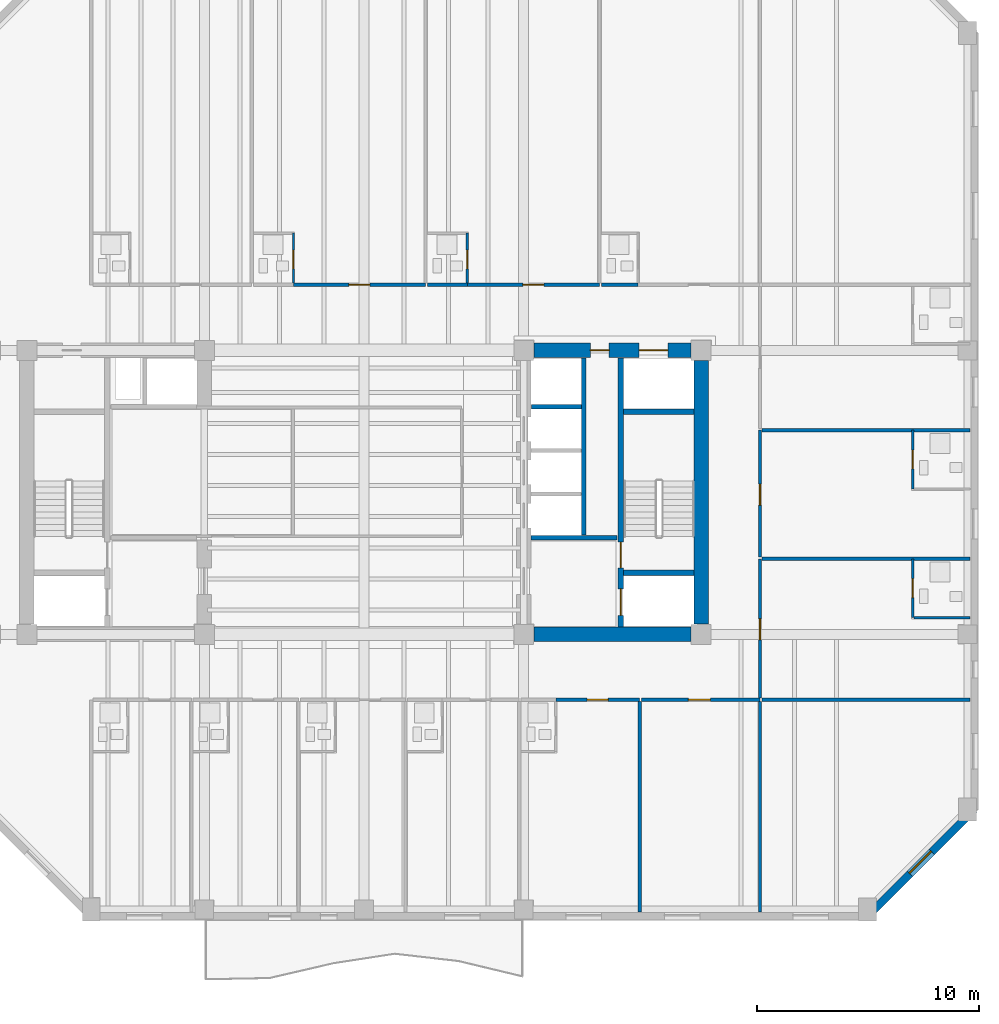
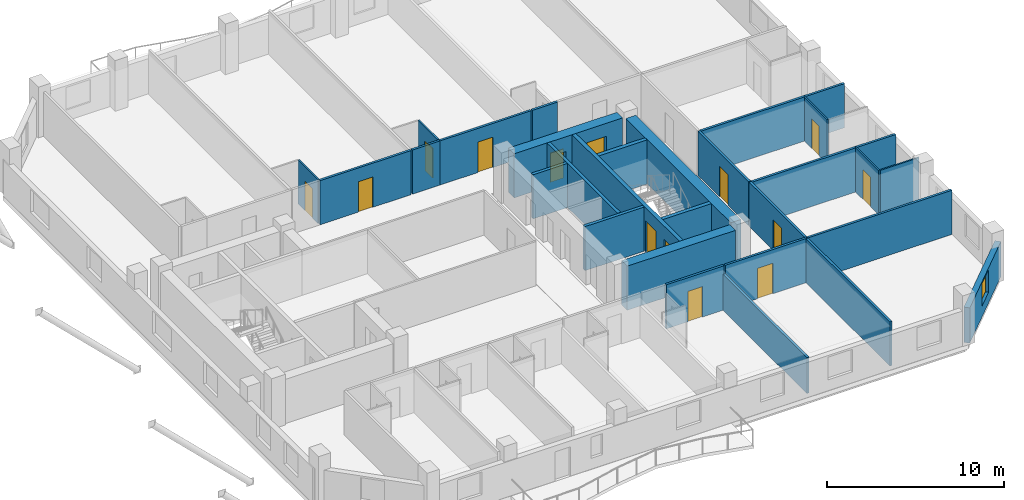
# One storey, part 7 of 13: 28 walls, 14 doors, 1 window, 15 openings.
"""IFC4 building model written with IfcOpenShell, lengths in metres."""

from ifc_helpers import new_model, si_unit, direction, frame, frame_2d, origin, place, context, subcontext, project, spatial, rectangle, extrude, material, layer, layer_set, type_object, element, fill, save


model = new_model("IFC4")

# Units and contexts
model_context = context("Model", 3, precision=1e-05, world=origin(), true_north=direction((0.0, 1.0)))
body_context = subcontext(model_context, "Body", "Model", "MODEL_VIEW")
ifc_project = project(units=[si_unit("LENGTHUNIT", "METRE"), si_unit("AREAUNIT", "SQUARE_METRE"), si_unit("VOLUMEUNIT", "CUBIC_METRE"), si_unit("PLANEANGLEUNIT", "RADIAN"), si_unit("MASSUNIT", "GRAM", prefix="KILO")], contexts=[model_context])

# Site, building, storey
site_placement = place(None, origin())
site = spatial("IfcSite", under=ifc_project, at=site_placement, CompositionType="ELEMENT")
building_placement = place(site_placement, origin())
building = spatial("IfcBuilding", under=site, at=building_placement, Name="Kranthara Brick Stack", CompositionType="ELEMENT")
storey_placement = place(building_placement, frame((0.0, 0.0, 179.800048828125)))
storey = spatial("IfcBuildingStorey", under=building, at=storey_placement, Name="L46", CompositionType="ELEMENT", Elevation=179.800048828125)

# Wall, opening, window
ifc_material_1 = material(Name="Kiln-fired clay brick masonry M15", Category="masonry")
ifc_layer_1 = layer(ifc_material_1, 0.35009765625)
ifc_layer_set_1 = layer_set([ifc_layer_1], Name="Kiln-fired clay brick masonry M15")
wall_type_1 = type_object("IfcWallType", Name="WL-BRK-SPND-350", PredefinedType="STANDARD", material=ifc_layer_set_1)
wall_1_placement = place(storey_placement, frame((55.5048828125, 12.89990234375, 0.0), z_axis=(0.0, 0.0, 1.0), x_axis=(-0.707106781187, -0.707106781187, 0.0)))
wall_1 = element("IfcWall", 1, at=wall_1_placement, inside=storey, type_object=wall_type_1, Name="L46 Exterior Brick Facade Wall SE 1", PredefinedType="STANDARD", context=body_context, shape_type="SweptSolid", body=[
    extrude(rectangle(XDim=6.795166015625, YDim=0.35009765625, at=frame_2d((3.3974609375, 0.0))), origin(), (0.0, 0.0, 1.0), 2.43505859375),
])
opening_1_placement = place(wall_1_placement, frame((2.697998046875, 0.0, 0.75)))
opening_1 = element("IfcOpeningElement", 2, at=opening_1_placement, cuts=wall_1, Name="Opening WN10", PredefinedType="OPENING", context=body_context, shape_type="SweptSolid", body=[
    extrude(rectangle(XDim=1.39990234375, YDim=1.56494140625, at=frame_2d((0.699951171875, 0.782470703125))), frame((0.0, 0.18505859375, 0.0), z_axis=(0.0, -1.0, 0.0), x_axis=(1.0, 0.0, 0.0)), (0.0, 0.0, 1.0), 0.3701171875),
])
ifc_material_2 = material(Name="Double-glazed low-E solar control glass", Category="glass")
window_type = type_object("IfcWindowType", Name="WN-CHM-1400x1750", PartitioningType="SINGLE_PANEL", PredefinedType="WINDOW", material=ifc_material_2)
window_placement = place(opening_1_placement, origin())
window = element("IfcWindow", 3, at=window_placement, inside=storey, type_object=window_type, Name="L46 SE Chamfer Corner Window", OverallHeight=1.56494140625, OverallWidth=1.39990234375, PartitioningType="SINGLE_PANEL", PredefinedType="WINDOW", context=body_context, shape_type="SweptSolid", body=[
    extrude(rectangle(XDim=1.39990234375, YDim=1.56494140625, at=frame_2d((0.699951171875, 0.782470703125))), frame((0.0, -0.010009765625, 0.0), z_axis=(0.0, -1.0, 0.0), x_axis=(1.0, 0.0, 0.0)), (0.0, 0.0, 1.0), 0.06005859375),
])
fill(opening_1, window)

# Wall, openings, doors
ifc_material_3 = material(Name="Concrete C50/60", Category="concrete")
ifc_layer_2 = layer(ifc_material_3, 0.25)
ifc_layer_set_2 = layer_set([ifc_layer_2], Name="Concrete C50/60")
wall_type_2 = type_object("IfcWallType", Name="WL-CORE-250", PredefinedType="SHEAR", material=ifc_layer_set_2)
wall_2_placement = place(storey_placement, frame((39.56494140625, 21.135009765625, 0.0), z_axis=(0.0, 0.0, 1.0), x_axis=(0.0, 1.0, 0.0)))
wall_2 = element("IfcWall", 4, at=wall_2_placement, inside=storey, type_object=wall_type_2, Name="L46 East Core Stair Bearing Spine Wall", PredefinedType="SHEAR", context=body_context, shape_type="SweptSolid", body=[
    extrude(rectangle(XDim=12.1298828125, YDim=0.25, at=frame_2d((6.06494140625, 0.0))), origin(), (0.0, 0.0, 1.0), 3.050048828125),
])
opening_2_placement = place(wall_2_placement, frame((0.514892578125, 0.0, 0.0)))
opening_2 = element("IfcOpeningElement", 5, at=opening_2_placement, cuts=wall_2, Name="Opening LD01", PredefinedType="OPENING", context=body_context, shape_type="SweptSolid", body=[
    extrude(rectangle(XDim=1.199951171875, YDim=2.14990234375, at=frame_2d((0.60009765625, 1.074951171875))), frame((0.0, 0.135009765625, 0.0), z_axis=(0.0, -1.0, 0.0), x_axis=(1.0, 0.0, 0.0)), (0.0, 0.0, 1.0), 0.27001953125),
])
opening_3_placement = place(wall_2_placement, frame((2.6650390625, 0.0, 0.0)))
opening_3 = element("IfcOpeningElement", 6, at=opening_3_placement, cuts=wall_2, Name="Opening D05", PredefinedType="OPENING", context=body_context, shape_type="SweptSolid", body=[
    extrude(rectangle(XDim=1.14990234375, YDim=2.14990234375, at=frame_2d((0.574951171875, 1.074951171875))), frame((0.0, 0.135009765625, 0.0), z_axis=(0.0, -1.0, 0.0), x_axis=(1.0, 0.0, 0.0)), (0.0, 0.0, 1.0), 0.27001953125),
])
ifc_material_4 = material(Name="Stainless steel sliding landing door", Category="steel")
door_type_1 = type_object("IfcDoorType", Name="DR-LD-FF1200", OperationType="DOUBLE_DOOR_SLIDING", PredefinedType="DOOR", material=ifc_material_4)
door_1_placement = place(opening_2_placement, origin())
door_1 = element("IfcDoor", 7, at=door_1_placement, inside=storey, type_object=door_type_1, Name="L46 Firefighting Lift FF-02 Landing Door", OperationType="DOUBLE_DOOR_SLIDING", OverallHeight=2.14990234375, OverallWidth=1.199951171875, PredefinedType="DOOR", context=body_context, shape_type="SweptSolid", body=[
    extrude(rectangle(XDim=1.199951171875, YDim=2.14990234375, at=frame_2d((0.60009765625, 1.074951171875))), frame((0.0, 0.02490234375, 0.0), z_axis=(0.0, -1.0, 0.0), x_axis=(1.0, 0.0, 0.0)), (0.0, 0.0, 1.0), 0.050048828125),
])
fill(opening_2, door_1)
ifc_material_5 = material(Name="Solid-core hardwood timber leaf in steel frame", Category="steel")
door_type_2 = type_object("IfcDoorType", Name="DR-ST-1150", OperationType="NOTDEFINED", PredefinedType="DOOR", material=ifc_material_5)
door_2_placement = place(opening_3_placement, origin())
door_2 = element("IfcDoor", 8, at=door_2_placement, inside=storey, type_object=door_type_2, Name="L46 Exit Stair ST02 Door", OperationType="SINGLE_SWING_LEFT", OverallHeight=2.14990234375, OverallWidth=1.14990234375, PredefinedType="DOOR", context=body_context, shape_type="SweptSolid", body=[
    extrude(rectangle(XDim=1.14990234375, YDim=2.14990234375, at=frame_2d((0.574951171875, 1.074951171875))), frame((0.0, 0.02490234375, 0.0), z_axis=(0.0, -1.0, 0.0), x_axis=(1.0, 0.0, 0.0)), (0.0, 0.0, 1.0), 0.050048828125),
])
fill(opening_3, door_2)

# Walls
for number, where, z_axis, x_axis, name in (
    (9, (39.68994140625, 23.570068359375, 0.0), (0.0, 0.0, 1.0), (1.0, 0.0, 0.0), "L46 East Stairwell Bearing Wall EFF"),
    (10, (39.68994140625, 30.830078125, 0.0), (0.0, 0.0, 1.0), (1.0, 0.0, 0.0), "L46 East Stairwell Bearing Wall EST"),
):
    element("IfcWall", number, at=place(storey_placement, frame(where, z_axis=z_axis, x_axis=x_axis)), inside=storey, type_object=wall_type_2, Name=name, PredefinedType="SHEAR", context=body_context, shape_type="SweptSolid", body=[
        extrude(rectangle(XDim=3.175048828125, YDim=0.25, at=frame_2d((1.58740234375, 0.0))), origin(), (0.0, 0.0, 1.0), 3.050048828125),
    ])
ifc_material_6 = material(Name="Concrete C60/75", Category="concrete")
ifc_layer_3 = layer(ifc_material_6, 0.64990234375)
ifc_layer_set_3 = layer_set([ifc_layer_3], Name="Concrete C60/75")
wall_type_3 = type_object("IfcWallType", Name="WL-CORE-650", PredefinedType="SHEAR", material=ifc_layer_set_3)
wall_3_placement = place(storey_placement, frame((43.199951171875, 21.2548828125, 0.0), z_axis=(0.0, 0.0, 1.0), x_axis=(0.0, 1.0, 0.0)))
element("IfcWall", 11, at=wall_3_placement, inside=storey, type_object=wall_type_3, Name="L46 East Core Shear Wall East", PredefinedType="SHEAR", context=body_context, shape_type="SweptSolid", body=[
    extrude(rectangle(XDim=11.89013671875, YDim=0.64990234375, at=frame_2d((5.945068359375, 0.0))), origin(), (0.0, 0.0, 1.0), 3.050048828125),
])
wall_4_placement = place(storey_placement, frame((35.655029296875, 20.800048828125, 0.0), z_axis=(0.0, 0.0, 1.0), x_axis=(1.0, 0.0, 0.0)))
element("IfcWall", 12, at=wall_4_placement, inside=storey, type_object=wall_type_3, Name="L46 East Core Shear Wall South", PredefinedType="SHEAR", context=body_context, shape_type="SweptSolid", body=[
    extrude(rectangle(XDim=7.090087890625, YDim=0.64990234375, at=frame_2d((3.544921875, 0.0))), origin(), (0.0, 0.0, 1.0), 3.050048828125),
])

# Wall, openings, doors
wall_5_placement = place(storey_placement, frame((35.655029296875, 33.60009765625, 0.0), z_axis=(0.0, 0.0, 1.0), x_axis=(1.0, 0.0, 0.0)))
wall_5 = element("IfcWall", 13, at=wall_5_placement, inside=storey, type_object=wall_type_3, Name="L46 East Core Shear Wall North", PredefinedType="SHEAR", context=body_context, shape_type="SweptSolid", body=[
    extrude(rectangle(XDim=7.090087890625, YDim=0.64990234375, at=frame_2d((3.544921875, 0.0))), origin(), (0.0, 0.0, 1.0), 3.050048828125),
])
opening_4_placement = place(wall_5_placement, frame((4.7451171875, 0.0, 0.0)))
opening_4 = element("IfcOpeningElement", 14, at=opening_4_placement, cuts=wall_5, Name="Opening LD03", PredefinedType="OPENING", context=body_context, shape_type="SweptSolid", body=[
    extrude(rectangle(XDim=1.300048828125, YDim=2.14990234375, at=frame_2d((0.64990234375, 1.074951171875))), frame((0.0, 0.3349609375, 0.0), z_axis=(0.0, -1.0, 0.0), x_axis=(1.0, 0.0, 0.0)), (0.0, 0.0, 1.0), 0.669921875),
])
opening_5_placement = place(wall_5_placement, frame((2.544921875, 0.0, 0.0)))
opening_5 = element("IfcOpeningElement", 15, at=opening_5_placement, cuts=wall_5, Name="Opening D10", PredefinedType="OPENING", context=body_context, shape_type="SweptSolid", body=[
    extrude(rectangle(XDim=0.85009765625, YDim=2.02001953125, at=frame_2d((0.425048828125, 1.010009765625))), frame((0.0, 0.3349609375, 0.0), z_axis=(0.0, -1.0, 0.0), x_axis=(1.0, 0.0, 0.0)), (0.0, 0.0, 1.0), 0.669921875),
])
ifc_material_7 = material(Name="Stainless steel sliding landing door", Category="steel")
door_type_3 = type_object("IfcDoorType", Name="DR-LD-SV1300", OperationType="DOUBLE_DOOR_SLIDING", PredefinedType="DOOR", material=ifc_material_7)
door_3_placement = place(opening_4_placement, origin())
door_3 = element("IfcDoor", 16, at=door_3_placement, inside=storey, type_object=door_type_3, Name="L46 Stretcher Service Lift SV-01 Landing Door", OperationType="DOUBLE_DOOR_SLIDING", OverallHeight=2.14990234375, OverallWidth=1.300048828125, PredefinedType="DOOR", context=body_context, shape_type="SweptSolid", body=[
    extrude(rectangle(XDim=1.300048828125, YDim=2.14990234375, at=frame_2d((0.64990234375, 1.074951171875))), frame((0.0, 0.02490234375, 0.0), z_axis=(0.0, -1.0, 0.0), x_axis=(1.0, 0.0, 0.0)), (0.0, 0.0, 1.0), 0.050048828125),
])
fill(opening_4, door_3)
ifc_material_8 = material(Name="Solid-core hardwood timber leaf in steel frame", Category="steel")
door_type_4 = type_object("IfcDoorType", Name="DR-RSR-850", OperationType="NOTDEFINED", PredefinedType="DOOR", material=ifc_material_8)
door_4_placement = place(opening_5_placement, origin())
door_4 = element("IfcDoor", 17, at=door_4_placement, inside=storey, type_object=door_type_4, Name="L46 East Core Service Room Door", OperationType="SINGLE_SWING_LEFT", OverallHeight=2.02001953125, OverallWidth=0.85009765625, PredefinedType="DOOR", context=body_context, shape_type="SweptSolid", body=[
    extrude(rectangle(XDim=0.85009765625, YDim=2.02001953125, at=frame_2d((0.425048828125, 1.010009765625))), frame((0.0, 0.02490234375, 0.0), z_axis=(0.0, -1.0, 0.0), x_axis=(1.0, 0.0, 0.0)), (0.0, 0.0, 1.0), 0.050048828125),
])
fill(opening_5, door_4)

# Wall, opening, door
ifc_material_9 = material(Name="Moisture-resistant wet-room partition", Category="other")
ifc_layer_4 = layer(ifc_material_9, 0.10009765625)
ifc_layer_set_4 = layer_set([ifc_layer_4], Name="Moisture-resistant wet-room partition")
wall_type_4 = type_object("IfcWallType", Name="WL-PART-100", PredefinedType="PARTITIONING", material=ifc_layer_set_4)
wall_6_placement = place(storey_placement, frame((24.8173828125, 36.6298828125, 0.0), z_axis=(0.0, 0.0, 1.0), x_axis=(0.0, 1.0, 0.0)))
wall_6 = element("IfcWall", 18, at=wall_6_placement, inside=storey, type_object=wall_type_4, Name="L46 Interior Partition 041", PredefinedType="PARTITIONING", context=body_context, shape_type="SweptSolid", body=[
    extrude(rectangle(XDim=2.25, YDim=0.10009765625, at=frame_2d((1.125, 0.0))), origin(), (0.0, 0.0, 1.0), 3.050048828125),
])
opening_6_placement = place(wall_6_placement, frame((0.639892578125, 0.0, 0.0)))
opening_6 = element("IfcOpeningElement", 19, at=opening_6_placement, cuts=wall_6, Name="Opening D17", PredefinedType="OPENING", context=body_context, shape_type="SweptSolid", body=[
    extrude(rectangle(XDim=0.85009765625, YDim=2.050048828125, at=frame_2d((0.425048828125, 1.02490234375))), frame((0.0, 0.06005859375, 0.0), z_axis=(0.0, -1.0, 0.0), x_axis=(1.0, 0.0, 0.0)), (0.0, 0.0, 1.0), 0.1201171875),
])
ifc_material_10 = material(Name="Solid-core hardwood timber leaf in steel frame", Category="steel")
door_type_5 = type_object("IfcDoorType", Name="DR-WET-850", OperationType="NOTDEFINED", PredefinedType="DOOR", material=ifc_material_10)
door_5_placement = place(opening_6_placement, origin())
door_5 = element("IfcDoor", 20, at=door_5_placement, inside=storey, type_object=door_type_5, Name="L46 Key 08 En-Suite Door 16", OperationType="SINGLE_SWING_RIGHT", OverallHeight=2.050048828125, OverallWidth=0.85009765625, PredefinedType="DOOR", context=body_context, shape_type="SweptSolid", body=[
    extrude(rectangle(XDim=0.85009765625, YDim=2.050048828125, at=frame_2d((0.425048828125, 1.02490234375))), frame((0.0, 0.02490234375, 0.0), z_axis=(0.0, -1.0, 0.0), x_axis=(1.0, 0.0, 0.0)), (0.0, 0.0, 1.0), 0.050048828125),
])
fill(opening_6, door_5)

wall_7_placement = place(storey_placement, frame((32.656494140625, 36.6298828125, 0.0), z_axis=(0.0, 0.0, 1.0), x_axis=(0.0, 1.0, 0.0)))
wall_7 = element("IfcWall", 21, at=wall_7_placement, inside=storey, type_object=wall_type_4, Name="L46 Interior Partition 046", PredefinedType="PARTITIONING", context=body_context, shape_type="SweptSolid", body=[
    extrude(rectangle(XDim=2.25, YDim=0.10009765625, at=frame_2d((1.125, 0.0))), origin(), (0.0, 0.0, 1.0), 3.050048828125),
])
opening_7_placement = place(wall_7_placement, frame((0.639892578125, 0.0, 0.0)))
opening_7 = element("IfcOpeningElement", 22, at=opening_7_placement, cuts=wall_7, Name="Opening D17", PredefinedType="OPENING", context=body_context, shape_type="SweptSolid", body=[
    extrude(rectangle(XDim=0.85009765625, YDim=2.050048828125, at=frame_2d((0.425048828125, 1.02490234375))), frame((0.0, 0.06005859375, 0.0), z_axis=(0.0, -1.0, 0.0), x_axis=(1.0, 0.0, 0.0)), (0.0, 0.0, 1.0), 0.1201171875),
])
door_6_placement = place(opening_7_placement, origin())
door_6 = element("IfcDoor", 23, at=door_6_placement, inside=storey, type_object=door_type_5, Name="L46 Key 09 En-Suite Door 18", OperationType="SINGLE_SWING_RIGHT", OverallHeight=2.050048828125, OverallWidth=0.85009765625, PredefinedType="DOOR", context=body_context, shape_type="SweptSolid", body=[
    extrude(rectangle(XDim=0.85009765625, YDim=2.050048828125, at=frame_2d((0.425048828125, 1.02490234375))), frame((0.0, 0.02490234375, 0.0), z_axis=(0.0, -1.0, 0.0), x_axis=(1.0, 0.0, 0.0)), (0.0, 0.0, 1.0), 0.050048828125),
])
fill(opening_7, door_6)

wall_8_placement = place(storey_placement, frame((52.72998046875, 21.550048828125, 0.0), z_axis=(0.0, 0.0, 1.0), x_axis=(0.0, 1.0, 0.0)))
wall_8 = element("IfcWall", 24, at=wall_8_placement, inside=storey, type_object=wall_type_4, Name="L46 Interior Partition 057", PredefinedType="PARTITIONING", context=body_context, shape_type="SweptSolid", body=[
    extrude(rectangle(XDim=2.64990234375, YDim=0.10009765625, at=frame_2d((1.324951171875, 0.0))), origin(), (0.0, 0.0, 1.0), 3.050048828125),
])
opening_8_placement = place(wall_8_placement, frame((0.905029296875, 0.0, 0.0)))
opening_8 = element("IfcOpeningElement", 25, at=opening_8_placement, cuts=wall_8, Name="Opening D17", PredefinedType="OPENING", context=body_context, shape_type="SweptSolid", body=[
    extrude(rectangle(XDim=0.85009765625, YDim=2.050048828125, at=frame_2d((0.425048828125, 1.02490234375))), frame((0.0, 0.06005859375, 0.0), z_axis=(0.0, -1.0, 0.0), x_axis=(1.0, 0.0, 0.0)), (0.0, 0.0, 1.0), 0.1201171875),
])
door_7_placement = place(opening_8_placement, origin())
door_7 = element("IfcDoor", 26, at=door_7_placement, inside=storey, type_object=door_type_5, Name="L46 East Key 11 Bath 22", OperationType="SINGLE_SWING_RIGHT", OverallHeight=2.050048828125, OverallWidth=0.85009765625, PredefinedType="DOOR", context=body_context, shape_type="SweptSolid", body=[
    extrude(rectangle(XDim=0.85009765625, YDim=2.050048828125, at=frame_2d((0.425048828125, 1.02490234375))), frame((0.0, 0.02490234375, 0.0), z_axis=(0.0, -1.0, 0.0), x_axis=(1.0, 0.0, 0.0)), (0.0, 0.0, 1.0), 0.050048828125),
])
fill(opening_8, door_7)

# Wall
wall_9_placement = place(storey_placement, frame((52.784912109375, 21.550048828125, 0.0), z_axis=(0.0, 0.0, 1.0), x_axis=(1.0, 0.0, 0.0)))
element("IfcWall", 27, at=wall_9_placement, inside=storey, type_object=wall_type_4, Name="L46 Interior Partition 058", PredefinedType="PARTITIONING", context=body_context, shape_type="SweptSolid", body=[
    extrude(rectangle(XDim=2.5400390625, YDim=0.10009765625, at=frame_2d((1.27001953125, 0.0))), origin(), (0.0, 0.0, 1.0), 3.050048828125),
])

# Wall, opening, door
wall_10_placement = place(storey_placement, frame((52.72998046875, 27.35009765625, 0.0), z_axis=(0.0, 0.0, 1.0), x_axis=(0.0, 1.0, 0.0)))
wall_10 = element("IfcWall", 28, at=wall_10_placement, inside=storey, type_object=wall_type_4, Name="L46 Interior Partition 061", PredefinedType="PARTITIONING", context=body_context, shape_type="SweptSolid", body=[
    extrude(rectangle(XDim=2.64990234375, YDim=0.10009765625, at=frame_2d((1.324951171875, 0.0))), origin(), (0.0, 0.0, 1.0), 3.050048828125),
])
opening_9_placement = place(wall_10_placement, frame((0.905029296875, 0.0, 0.0)))
opening_9 = element("IfcOpeningElement", 29, at=opening_9_placement, cuts=wall_10, Name="Opening D17", PredefinedType="OPENING", context=body_context, shape_type="SweptSolid", body=[
    extrude(rectangle(XDim=0.85009765625, YDim=2.050048828125, at=frame_2d((0.425048828125, 1.02490234375))), frame((0.0, 0.06005859375, 0.0), z_axis=(0.0, -1.0, 0.0), x_axis=(1.0, 0.0, 0.0)), (0.0, 0.0, 1.0), 0.1201171875),
])
door_8_placement = place(opening_9_placement, origin())
door_8 = element("IfcDoor", 30, at=door_8_placement, inside=storey, type_object=door_type_5, Name="L46 East Key 12 Bath 24", OperationType="SINGLE_SWING_RIGHT", OverallHeight=2.050048828125, OverallWidth=0.85009765625, PredefinedType="DOOR", context=body_context, shape_type="SweptSolid", body=[
    extrude(rectangle(XDim=0.85009765625, YDim=2.050048828125, at=frame_2d((0.425048828125, 1.02490234375))), frame((0.0, 0.02490234375, 0.0), z_axis=(0.0, -1.0, 0.0), x_axis=(1.0, 0.0, 0.0)), (0.0, 0.0, 1.0), 0.050048828125),
])
fill(opening_9, door_8)

ifc_material_11 = material(Name="Fire-rated gypsum board partition", Category="other")
ifc_layer_5 = layer(ifc_material_11, 0.14990234375)
ifc_layer_set_5 = layer_set([ifc_layer_5], Name="Fire-rated gypsum board partition")
wall_type_5 = type_object("IfcWallType", Name="WL-PART-150", PredefinedType="PARTITIONING", material=ifc_layer_set_5)
wall_11_placement = place(storey_placement, frame((36.64599609375, 17.85009765625, 0.0), z_axis=(0.0, 0.0, 1.0), x_axis=(1.0, 0.0, 0.0)))
wall_11 = element("IfcWall", 31, at=wall_11_placement, inside=storey, type_object=wall_type_5, Name="L46 Interior Partition 027", PredefinedType="PARTITIONING", context=body_context, shape_type="SweptSolid", body=[
    extrude(rectangle(XDim=3.777099609375, YDim=0.14990234375, at=frame_2d((1.888671875, 0.0))), origin(), (0.0, 0.0, 1.0), 3.050048828125),
])
opening_10_placement = place(wall_11_placement, frame((1.408935546875, 0.0, 0.0)))
opening_10 = element("IfcOpeningElement", 32, at=opening_10_placement, cuts=wall_11, Name="Opening D09", PredefinedType="OPENING", context=body_context, shape_type="SweptSolid", body=[
    extrude(rectangle(XDim=0.949951171875, YDim=2.10009765625, at=frame_2d((0.47509765625, 1.050048828125))), frame((0.0, 0.0849609375, 0.0), z_axis=(0.0, -1.0, 0.0), x_axis=(1.0, 0.0, 0.0)), (0.0, 0.0, 1.0), 0.169921875),
])
ifc_material_12 = material(Name="Solid-core hardwood timber leaf in steel frame", Category="steel")
door_type_6 = type_object("IfcDoorType", Name="DR-FD-950", OperationType="NOTDEFINED", PredefinedType="DOOR", material=ifc_material_12)
door_9_placement = place(opening_10_placement, origin())
door_9 = element("IfcDoor", 33, at=door_9_placement, inside=storey, type_object=door_type_6, Name="L46 Key 05 Entry 12", OperationType="SINGLE_SWING_RIGHT", OverallHeight=2.10009765625, OverallWidth=0.949951171875, PredefinedType="DOOR", context=body_context, shape_type="SweptSolid", body=[
    extrude(rectangle(XDim=0.949951171875, YDim=2.10009765625, at=frame_2d((0.47509765625, 1.050048828125))), frame((0.0, 0.02490234375, 0.0), z_axis=(0.0, -1.0, 0.0), x_axis=(1.0, 0.0, 0.0)), (0.0, 0.0, 1.0), 0.050048828125),
])
fill(opening_10, door_9)

# Wall
wall_12_placement = place(storey_placement, frame((40.423095703125, 8.27490234375, 0.0), z_axis=(0.0, 0.0, 1.0), x_axis=(0.0, 1.0, 0.0)))
element("IfcWall", 34, at=wall_12_placement, inside=storey, type_object=wall_type_5, Name="L46 Interior Partition 030", PredefinedType="PARTITIONING", context=body_context, shape_type="SweptSolid", body=[
    extrude(rectangle(XDim=9.4951171875, YDim=0.14990234375, at=frame_2d((4.74755859375, 0.0))), origin(), (0.0, 0.0, 1.0), 2.48486328125),
])

# Wall, opening, door
wall_13_placement = place(storey_placement, frame((40.5029296875, 17.85009765625, 0.0), z_axis=(0.0, 0.0, 1.0), x_axis=(1.0, 0.0, 0.0)))
wall_13 = element("IfcWall", 35, at=wall_13_placement, inside=storey, type_object=wall_type_5, Name="L46 Interior Partition 031", PredefinedType="PARTITIONING", context=body_context, shape_type="SweptSolid", body=[
    extrude(rectangle(XDim=5.34716796875, YDim=0.14990234375, at=frame_2d((2.673583984375, 0.0))), origin(), (0.0, 0.0, 1.0), 3.050048828125),
])
opening_11_placement = place(wall_13_placement, frame((2.114013671875, 0.0, 0.0)))
opening_11 = element("IfcOpeningElement", 36, at=opening_11_placement, cuts=wall_13, Name="Opening D08", PredefinedType="OPENING", context=body_context, shape_type="SweptSolid", body=[
    extrude(rectangle(XDim=1.0, YDim=2.10009765625, at=frame_2d((0.5, 1.050048828125))), frame((0.0, 0.0849609375, 0.0), z_axis=(0.0, -1.0, 0.0), x_axis=(1.0, 0.0, 0.0)), (0.0, 0.0, 1.0), 0.169921875),
])
ifc_material_13 = material(Name="Solid-core hardwood timber leaf in steel frame", Category="steel")
door_type_7 = type_object("IfcDoorType", Name="DR-FD-1000", OperationType="NOTDEFINED", PredefinedType="DOOR", material=ifc_material_13)
door_10_placement = place(opening_11_placement, origin())
door_10 = element("IfcDoor", 37, at=door_10_placement, inside=storey, type_object=door_type_7, Name="L46 Guest Lounge 13", OperationType="SINGLE_SWING_LEFT", OverallHeight=2.10009765625, OverallWidth=1.0, PredefinedType="DOOR", context=body_context, shape_type="SweptSolid", body=[
    extrude(rectangle(XDim=1.0, YDim=2.10009765625, at=frame_2d((0.5, 1.050048828125))), frame((0.0, 0.02490234375, 0.0), z_axis=(0.0, -1.0, 0.0), x_axis=(1.0, 0.0, 0.0)), (0.0, 0.0, 1.0), 0.050048828125),
])
fill(opening_11, door_10)

# Wall
wall_14_placement = place(storey_placement, frame((45.85009765625, 8.27490234375, 0.0), z_axis=(0.0, 0.0, 1.0), x_axis=(0.0, 1.0, 0.0)))
element("IfcWall", 38, at=wall_14_placement, inside=storey, type_object=wall_type_5, Name="L46 Interior Partition 032", PredefinedType="PARTITIONING", context=body_context, shape_type="SweptSolid", body=[
    extrude(rectangle(XDim=9.4951171875, YDim=0.14990234375, at=frame_2d((4.74755859375, 0.0))), origin(), (0.0, 0.0, 1.0), 3.050048828125),
])

# Wall, opening, door
wall_15_placement = place(storey_placement, frame((24.8173828125, 36.550048828125, 0.0), z_axis=(0.0, 0.0, 1.0), x_axis=(1.0, 0.0, 0.0)))
wall_15 = element("IfcWall", 39, at=wall_15_placement, inside=storey, type_object=wall_type_5, Name="L46 Interior Partition 040", PredefinedType="PARTITIONING", context=body_context, shape_type="SweptSolid", body=[
    extrude(rectangle(XDim=5.95751953125, YDim=0.14990234375, at=frame_2d((2.978759765625, 0.0))), origin(), (0.0, 0.0, 1.0), 3.050048828125),
])
opening_12_placement = place(wall_15_placement, frame((2.4990234375, 0.0, 0.0)))
opening_12 = element("IfcOpeningElement", 40, at=opening_12_placement, cuts=wall_15, Name="Opening D09", PredefinedType="OPENING", context=body_context, shape_type="SweptSolid", body=[
    extrude(rectangle(XDim=0.949951171875, YDim=2.10009765625, at=frame_2d((0.47509765625, 1.050048828125))), frame((0.0, 0.0849609375, 0.0), z_axis=(0.0, -1.0, 0.0), x_axis=(1.0, 0.0, 0.0)), (0.0, 0.0, 1.0), 0.169921875),
])
door_11_placement = place(opening_12_placement, origin())
door_11 = element("IfcDoor", 41, at=door_11_placement, inside=storey, type_object=door_type_6, Name="L46 Key 08 Entry 17", OperationType="SINGLE_SWING_LEFT", OverallHeight=2.10009765625, OverallWidth=0.949951171875, PredefinedType="DOOR", context=body_context, shape_type="SweptSolid", body=[
    extrude(rectangle(XDim=0.949951171875, YDim=2.10009765625, at=frame_2d((0.47509765625, 1.050048828125))), frame((0.0, 0.02490234375, 0.0), z_axis=(0.0, -1.0, 0.0), x_axis=(1.0, 0.0, 0.0)), (0.0, 0.0, 1.0), 0.050048828125),
])
fill(opening_12, door_11)

# Wall
wall_16_placement = place(storey_placement, frame((30.85498046875, 36.550048828125, 0.0), z_axis=(0.0, 0.0, 1.0), x_axis=(1.0, 0.0, 0.0)))
element("IfcWall", 42, at=wall_16_placement, inside=storey, type_object=wall_type_5, Name="L46 Interior Partition 044", PredefinedType="PARTITIONING", context=body_context, shape_type="SweptSolid", body=[
    extrude(rectangle(XDim=1.801513671875, YDim=0.14990234375, at=frame_2d((0.90087890625, 0.0))), origin(), (0.0, 0.0, 1.0), 3.050048828125),
])

# Wall, opening, door
wall_17_placement = place(storey_placement, frame((32.656494140625, 36.550048828125, 0.0), z_axis=(0.0, 0.0, 1.0), x_axis=(1.0, 0.0, 0.0)))
wall_17 = element("IfcWall", 43, at=wall_17_placement, inside=storey, type_object=wall_type_5, Name="L46 Interior Partition 045", PredefinedType="PARTITIONING", context=body_context, shape_type="SweptSolid", body=[
    extrude(rectangle(XDim=5.95751953125, YDim=0.14990234375, at=frame_2d((2.978759765625, 0.0))), origin(), (0.0, 0.0, 1.0), 3.050048828125),
])
opening_13_placement = place(wall_17_placement, frame((2.4990234375, 0.0, 0.0)))
opening_13 = element("IfcOpeningElement", 44, at=opening_13_placement, cuts=wall_17, Name="Opening D09", PredefinedType="OPENING", context=body_context, shape_type="SweptSolid", body=[
    extrude(rectangle(XDim=0.949951171875, YDim=2.10009765625, at=frame_2d((0.47509765625, 1.050048828125))), frame((0.0, 0.0849609375, 0.0), z_axis=(0.0, -1.0, 0.0), x_axis=(1.0, 0.0, 0.0)), (0.0, 0.0, 1.0), 0.169921875),
])
door_12_placement = place(opening_13_placement, origin())
door_12 = element("IfcDoor", 45, at=door_12_placement, inside=storey, type_object=door_type_6, Name="L46 Key 09 Entry 19", OperationType="SINGLE_SWING_LEFT", OverallHeight=2.10009765625, OverallWidth=0.949951171875, PredefinedType="DOOR", context=body_context, shape_type="SweptSolid", body=[
    extrude(rectangle(XDim=0.949951171875, YDim=2.10009765625, at=frame_2d((0.47509765625, 1.050048828125))), frame((0.0, 0.02490234375, 0.0), z_axis=(0.0, -1.0, 0.0), x_axis=(1.0, 0.0, 0.0)), (0.0, 0.0, 1.0), 0.050048828125),
])
fill(opening_13, door_12)

# Walls
wall_18_placement = place(storey_placement, frame((38.694091796875, 36.550048828125, 0.0), z_axis=(0.0, 0.0, 1.0), x_axis=(1.0, 0.0, 0.0)))
element("IfcWall", 46, at=wall_18_placement, inside=storey, type_object=wall_type_5, Name="L46 Interior Partition 049", PredefinedType="PARTITIONING", context=body_context, shape_type="SweptSolid", body=[
    extrude(rectangle(XDim=1.656494140625, YDim=0.14990234375, at=frame_2d((0.828125, 0.0))), origin(), (0.0, 0.0, 1.0), 3.050048828125),
])
wall_19_placement = place(storey_placement, frame((45.929931640625, 17.85009765625, 0.0), z_axis=(0.0, 0.0, 1.0), x_axis=(1.0, 0.0, 0.0)))
element("IfcWall", 47, at=wall_19_placement, inside=storey, type_object=wall_type_5, Name="L46 Interior Partition 054", PredefinedType="PARTITIONING", context=body_context, shape_type="SweptSolid", body=[
    extrude(rectangle(XDim=9.39501953125, YDim=0.14990234375, at=frame_2d((4.697509765625, 0.0))), origin(), (0.0, 0.0, 1.0), 3.050048828125),
])

# Wall, opening, door
wall_20_placement = place(storey_placement, frame((45.85009765625, 17.929931640625, 0.0), z_axis=(0.0, 0.0, 1.0), x_axis=(0.0, 1.0, 0.0)))
wall_20 = element("IfcWall", 48, at=wall_20_placement, inside=storey, type_object=wall_type_5, Name="L46 Interior Partition 056", PredefinedType="PARTITIONING", context=body_context, shape_type="SweptSolid", body=[
    extrude(rectangle(XDim=6.27001953125, YDim=0.14990234375, at=frame_2d((3.135009765625, 0.0))), origin(), (0.0, 0.0, 1.0), 3.050048828125),
])
opening_14_placement = place(wall_20_placement, frame((2.614990234375, 0.0, 0.0)))
opening_14 = element("IfcOpeningElement", 49, at=opening_14_placement, cuts=wall_20, Name="Opening D09", PredefinedType="OPENING", context=body_context, shape_type="SweptSolid", body=[
    extrude(rectangle(XDim=0.949951171875, YDim=2.10009765625, at=frame_2d((0.47509765625, 1.050048828125))), frame((0.0, 0.0849609375, 0.0), z_axis=(0.0, -1.0, 0.0), x_axis=(1.0, 0.0, 0.0)), (0.0, 0.0, 1.0), 0.169921875),
])
door_13_placement = place(opening_14_placement, origin())
door_13 = element("IfcDoor", 50, at=door_13_placement, inside=storey, type_object=door_type_6, Name="L46 East Key 11 23", OperationType="SINGLE_SWING_LEFT", OverallHeight=2.10009765625, OverallWidth=0.949951171875, PredefinedType="DOOR", context=body_context, shape_type="SweptSolid", body=[
    extrude(rectangle(XDim=0.949951171875, YDim=2.10009765625, at=frame_2d((0.47509765625, 1.050048828125))), frame((0.0, 0.02490234375, 0.0), z_axis=(0.0, -1.0, 0.0), x_axis=(1.0, 0.0, 0.0)), (0.0, 0.0, 1.0), 0.050048828125),
])
fill(opening_14, door_13)

# Wall
wall_21_placement = place(storey_placement, frame((45.929931640625, 24.199951171875, 0.0), z_axis=(0.0, 0.0, 1.0), x_axis=(1.0, 0.0, 0.0)))
element("IfcWall", 51, at=wall_21_placement, inside=storey, type_object=wall_type_5, Name="L46 Interior Partition 059", PredefinedType="PARTITIONING", context=body_context, shape_type="SweptSolid", body=[
    extrude(rectangle(XDim=9.39501953125, YDim=0.14990234375, at=frame_2d((4.697509765625, 0.0))), origin(), (0.0, 0.0, 1.0), 3.050048828125),
])

# Wall, opening, door
wall_22_placement = place(storey_placement, frame((45.85009765625, 24.280029296875, 0.0), z_axis=(0.0, 0.0, 1.0), x_axis=(0.0, 1.0, 0.0)))
wall_22 = element("IfcWall", 52, at=wall_22_placement, inside=storey, type_object=wall_type_5, Name="L46 Interior Partition 060", PredefinedType="PARTITIONING", context=body_context, shape_type="SweptSolid", body=[
    extrude(rectangle(XDim=5.719970703125, YDim=0.14990234375, at=frame_2d((2.85986328125, 0.0))), origin(), (0.0, 0.0, 1.0), 3.050048828125),
])
opening_15_placement = place(wall_22_placement, frame((2.340087890625, 0.0, 0.0)))
opening_15 = element("IfcOpeningElement", 53, at=opening_15_placement, cuts=wall_22, Name="Opening D09", PredefinedType="OPENING", context=body_context, shape_type="SweptSolid", body=[
    extrude(rectangle(XDim=0.949951171875, YDim=2.10009765625, at=frame_2d((0.47509765625, 1.050048828125))), frame((0.0, 0.0849609375, 0.0), z_axis=(0.0, -1.0, 0.0), x_axis=(1.0, 0.0, 0.0)), (0.0, 0.0, 1.0), 0.169921875),
])
door_14_placement = place(opening_15_placement, origin())
door_14 = element("IfcDoor", 54, at=door_14_placement, inside=storey, type_object=door_type_6, Name="L46 East Key 12 25", OperationType="SINGLE_SWING_LEFT", OverallHeight=2.10009765625, OverallWidth=0.949951171875, PredefinedType="DOOR", context=body_context, shape_type="SweptSolid", body=[
    extrude(rectangle(XDim=0.949951171875, YDim=2.10009765625, at=frame_2d((0.47509765625, 1.050048828125))), frame((0.0, 0.02490234375, 0.0), z_axis=(0.0, -1.0, 0.0), x_axis=(1.0, 0.0, 0.0)), (0.0, 0.0, 1.0), 0.050048828125),
])
fill(opening_15, door_14)

# Walls
wall_23_placement = place(storey_placement, frame((45.929931640625, 30.0, 0.0), z_axis=(0.0, 0.0, 1.0), x_axis=(1.0, 0.0, 0.0)))
element("IfcWall", 55, at=wall_23_placement, inside=storey, type_object=wall_type_5, Name="L46 Interior Partition 063", PredefinedType="PARTITIONING", context=body_context, shape_type="SweptSolid", body=[
    extrude(rectangle(XDim=9.39501953125, YDim=0.14990234375, at=frame_2d((4.697509765625, 0.0))), origin(), (0.0, 0.0, 1.0), 3.050048828125),
])
ifc_material_14 = material(Name="Concrete C40/50", Category="concrete")
ifc_layer_6 = layer(ifc_material_14, 0.199951171875)
ifc_layer_set_6 = layer_set([ifc_layer_6], Name="Concrete C40/50")
wall_type_6 = type_object("IfcWallType", Name="WL-PART-200", PredefinedType="SOLIDWALL", material=ifc_layer_set_6)
wall_24_placement = place(storey_placement, frame((35.534912109375, 25.14990234375, 0.0), z_axis=(0.0, 0.0, 1.0), x_axis=(1.0, 0.0, 0.0)))
element("IfcWall", 56, at=wall_24_placement, inside=storey, type_object=wall_type_6, Name="L46 East Core Cross Wall EFL", PredefinedType="SOLIDWALL", context=body_context, shape_type="SweptSolid", body=[
    extrude(rectangle(XDim=3.864990234375, YDim=0.199951171875, at=frame_2d((1.9326171875, 0.0))), origin(), (0.0, 0.0, 1.0), 3.050048828125),
])
wall_25_placement = place(storey_placement, frame((35.550048828125, 31.050048828125, 0.0), z_axis=(0.0, 0.0, 1.0), x_axis=(1.0, 0.0, 0.0)))
element("IfcWall", 57, at=wall_25_placement, inside=storey, type_object=wall_type_6, Name="L46 East Core Cross Wall EE4", PredefinedType="SOLIDWALL", context=body_context, shape_type="SweptSolid", body=[
    extrude(rectangle(XDim=2.25, YDim=0.199951171875, at=frame_2d((1.125, 0.0))), origin(), (0.0, 0.0, 1.0), 3.050048828125),
])
wall_26_placement = place(storey_placement, frame((37.89990234375, 25.27001953125, 0.0), z_axis=(0.0, 0.0, 1.0), x_axis=(0.0, 1.0, 0.0)))
element("IfcWall", 58, at=wall_26_placement, inside=storey, type_object=wall_type_6, Name="L46 East Core Cross Wall ESV", PredefinedType="SOLIDWALL", context=body_context, shape_type="SweptSolid", body=[
    extrude(rectangle(XDim=7.994873046875, YDim=0.199951171875, at=frame_2d((3.99755859375, 0.0))), origin(), (0.0, 0.0, 1.0), 3.050048828125),
])

save(model, "model.ifc")
